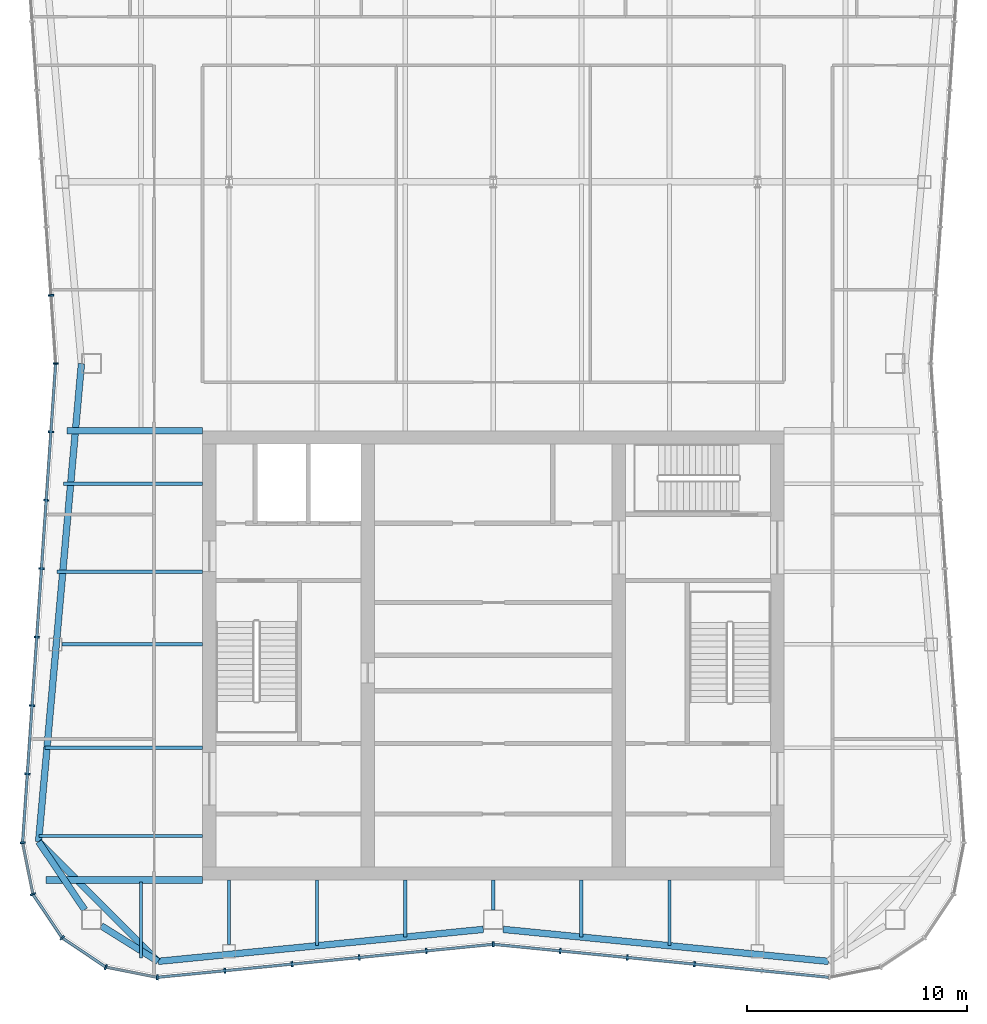
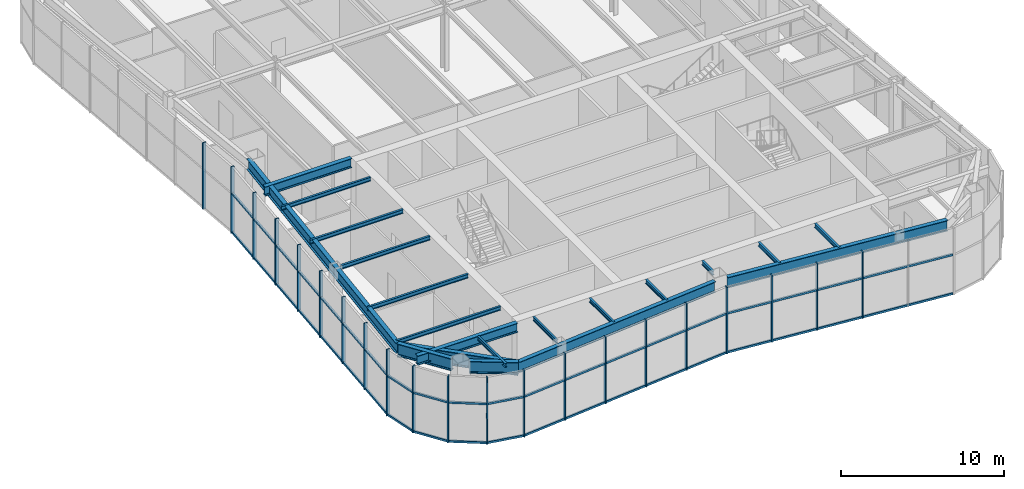
# One storey, part 3 of 13: 35 members, 20 beams, 3 elements without a shape of their own.
"""IFC4 building model written with IfcOpenShell, lengths in metres."""

from ifc_helpers import new_model, si_unit, direction, frame, origin, origin_2d, place, context, subcontext, project, spatial, rectangle, i_section, extrude, material, material_profile, profile_set, type_object, element, aggregate, save


model = new_model("IFC4")

# Units and contexts
model_context = context("Model", 3, precision=1e-05, world=origin(), true_north=direction((0.0, 1.0)))
body_context = subcontext(model_context, "Body", "Model", "MODEL_VIEW")
ifc_project = project(units=[si_unit("LENGTHUNIT", "METRE"), si_unit("AREAUNIT", "SQUARE_METRE"), si_unit("VOLUMEUNIT", "CUBIC_METRE"), si_unit("PLANEANGLEUNIT", "RADIAN"), si_unit("MASSUNIT", "GRAM", prefix="KILO")], contexts=[model_context])

# Site, building, storey
site_placement = place(None, origin())
site = spatial("IfcSite", under=ifc_project, at=site_placement, CompositionType="ELEMENT")
building_placement = place(site_placement, origin())
building = spatial("IfcBuilding", under=site, at=building_placement, Name="Verdant Reach Tower", CompositionType="ELEMENT")
storey_placement = place(building_placement, frame((0.0, 0.0, 354.5)))
storey = spatial("IfcBuildingStorey", under=building, at=storey_placement, Name="L80 Plant", CompositionType="ELEMENT", Elevation=354.5)

# Curtain wall, members
ifc_material_1 = material(Name="Anodised aluminium", Category="aluminium")
curtain_wall_type = type_object("IfcCurtainWallType", Name="EN-CW SYSTEM PLANT", PredefinedType="NOTDEFINED", material=ifc_material_1)
curtain_wall_1_placement = place(storey_placement, origin())
curtain_wall_1 = element("IfcCurtainWall", 1, at=curtain_wall_1_placement, inside=storey, type_object=curtain_wall_type, Name="Curtain wall west, L80", PredefinedType="NOTDEFINED")
ifc_material_profile_1 = material_profile(ifc_material_1, rectangle(XDim=0.238037109375, YDim=0.080078125, at=origin_2d()), Name="Mullion 80x240")
ifc_profile_set_1 = profile_set([ifc_material_profile_1], Name="Anodised aluminium")
member_type_1 = type_object("IfcMemberType", Name="EN-MULLION PLANT", PredefinedType="MULLION", material=ifc_profile_set_1)
member_1_placement = place(storey_placement, frame((-20.0830078125, 44.348876953125, -0.35009765625), z_axis=(0.0, 0.0, 1.0), x_axis=(-0.997630328423, -0.068802091615, 0.0)))
member_1 = element("IfcMember", 2, at=member_1_placement, type_object=member_type_1, Name="Mullion west face part 1 7, L80", PredefinedType="MULLION", context=body_context, shape_type="SweptSolid", body=[
    extrude(rectangle(XDim=0.238037109375, YDim=0.080078125, at=origin_2d()), origin(), (0.0, 0.0, 1.0), 5.0),
])
member_2_placement = place(storey_placement, frame((-19.868896484375, 41.25, -0.35009765625), z_axis=(0.0, 0.0, 1.0), x_axis=(-1.0, 0.0, 0.0)))
member_2 = element("IfcMember", 3, at=member_2_placement, type_object=member_type_1, Name="Mullion west face part 2 1, L80", PredefinedType="MULLION", context=body_context, shape_type="SweptSolid", body=[
    extrude(rectangle(XDim=0.238037109375, YDim=0.080078125, at=origin_2d()), origin(), (0.0, 0.0, 1.0), 5.0),
])
member_3_placement = place(storey_placement, frame((-20.0830078125, 38.151123046875, -0.35009765625), z_axis=(0.0, 0.0, 1.0), x_axis=(-0.997630328423, 0.068802091615, 0.0)))
member_3 = element("IfcMember", 4, at=member_3_placement, type_object=member_type_1, Name="Mullion west face part 2 2, L80", PredefinedType="MULLION", context=body_context, shape_type="SweptSolid", body=[
    extrude(rectangle(XDim=0.238037109375, YDim=0.080078125, at=origin_2d()), origin(), (0.0, 0.0, 1.0), 5.0),
])
member_4_placement = place(storey_placement, frame((-20.29736328125, 35.0439453125, -0.35009765625), z_axis=(0.0, 0.0, 1.0), x_axis=(-0.997630328423, 0.068802091615, 0.0)))
member_4 = element("IfcMember", 5, at=member_4_placement, type_object=member_type_1, Name="Mullion west face part 2 3, L80", PredefinedType="MULLION", context=body_context, shape_type="SweptSolid", body=[
    extrude(rectangle(XDim=0.238037109375, YDim=0.080078125, at=origin_2d()), origin(), (0.0, 0.0, 1.0), 5.0),
])
member_5_placement = place(storey_placement, frame((-20.511474609375, 31.936767578125, -0.35009765625), z_axis=(0.0, 0.0, 1.0), x_axis=(-0.997630328423, 0.068802091615, 0.0)))
member_5 = element("IfcMember", 6, at=member_5_placement, type_object=member_type_1, Name="Mullion west face part 2 4, L80", PredefinedType="MULLION", context=body_context, shape_type="SweptSolid", body=[
    extrude(rectangle(XDim=0.238037109375, YDim=0.080078125, at=origin_2d()), origin(), (0.0, 0.0, 1.0), 5.0),
])
member_6_placement = place(storey_placement, frame((-20.725830078125, 28.82958984375, -0.35009765625), z_axis=(0.0, 0.0, 1.0), x_axis=(-0.997630328423, 0.068802091615, 0.0)))
member_6 = element("IfcMember", 7, at=member_6_placement, type_object=member_type_1, Name="Mullion west face part 2 5, L80", PredefinedType="MULLION", context=body_context, shape_type="SweptSolid", body=[
    extrude(rectangle(XDim=0.238037109375, YDim=0.080078125, at=origin_2d()), origin(), (0.0, 0.0, 1.0), 5.0),
])
member_7_placement = place(storey_placement, frame((-20.940185546875, 25.722412109375, -0.35009765625), z_axis=(0.0, 0.0, 1.0), x_axis=(-0.997630328423, 0.068802091615, 0.0)))
member_7 = element("IfcMember", 8, at=member_7_placement, type_object=member_type_1, Name="Mullion west face part 2 6, L80", PredefinedType="MULLION", context=body_context, shape_type="SweptSolid", body=[
    extrude(rectangle(XDim=0.238037109375, YDim=0.080078125, at=origin_2d()), origin(), (0.0, 0.0, 1.0), 5.0),
])
member_8_placement = place(storey_placement, frame((-21.154541015625, 22.615234375, -0.35009765625), z_axis=(0.0, 0.0, 1.0), x_axis=(-0.997630328423, 0.068802091615, 0.0)))
member_8 = element("IfcMember", 9, at=member_8_placement, type_object=member_type_1, Name="Mullion west face part 2 7, L80", PredefinedType="MULLION", context=body_context, shape_type="SweptSolid", body=[
    extrude(rectangle(XDim=0.238037109375, YDim=0.080078125, at=origin_2d()), origin(), (0.0, 0.0, 1.0), 5.0),
])

curtain_wall_2_placement = place(storey_placement, origin())
curtain_wall_2 = element("IfcCurtainWall", 10, at=curtain_wall_2_placement, inside=storey, type_object=curtain_wall_type, Name="Curtain wall south-west corner, L80", PredefinedType="NOTDEFINED")
member_9_placement = place(storey_placement, frame((-21.36865234375, 19.492431640625, -0.35009765625), z_axis=(0.0, 0.0, 1.0), x_axis=(-0.997969180898, -0.063698618332, 0.0)))
member_9 = element("IfcMember", 11, at=member_9_placement, type_object=member_type_1, Name="Mullion south-west corner 1, L80", PredefinedType="MULLION", context=body_context, shape_type="SweptSolid", body=[
    extrude(rectangle(XDim=0.238037109375, YDim=0.080078125, at=origin_2d()), origin(), (0.0, 0.0, 1.0), 5.0),
])
member_10_placement = place(storey_placement, frame((-20.9033203125, 17.158447265625, -0.35009765625), z_axis=(0.0, 0.0, 1.0), x_axis=(-0.923875215753, -0.382693853776, 0.0)))
member_10 = element("IfcMember", 12, at=member_10_placement, type_object=member_type_1, Name="Mullion south-west corner 2, L80", PredefinedType="MULLION", context=body_context, shape_type="SweptSolid", body=[
    extrude(rectangle(XDim=0.238037109375, YDim=0.080078125, at=origin_2d()), origin(), (0.0, 0.0, 1.0), 5.0),
])
member_11_placement = place(storey_placement, frame((-19.57666015625, 15.17333984375, -0.35009765625), z_axis=(0.0, 0.0, 1.0), x_axis=(-0.707106781187, -0.707106781187, 0.0)))
member_11 = element("IfcMember", 13, at=member_11_placement, type_object=member_type_1, Name="Mullion south-west corner 3, L80", PredefinedType="MULLION", context=body_context, shape_type="SweptSolid", body=[
    extrude(rectangle(XDim=0.238037109375, YDim=0.080078125, at=origin_2d()), origin(), (0.0, 0.0, 1.0), 5.0),
])
member_12_placement = place(storey_placement, frame((-17.591552734375, 13.8466796875, -0.35009765625), z_axis=(0.0, 0.0, 1.0), x_axis=(-0.382693853776, -0.923875215753, 0.0)))
member_12 = element("IfcMember", 14, at=member_12_placement, type_object=member_type_1, Name="Mullion south-west corner 4, L80", PredefinedType="MULLION", context=body_context, shape_type="SweptSolid", body=[
    extrude(rectangle(XDim=0.238037109375, YDim=0.080078125, at=origin_2d()), origin(), (0.0, 0.0, 1.0), 5.0),
])

curtain_wall_3_placement = place(storey_placement, origin())
curtain_wall_3 = element("IfcCurtainWall", 15, at=curtain_wall_3_placement, inside=storey, type_object=curtain_wall_type, Name="Curtain wall south, L80", PredefinedType="NOTDEFINED")
member_13_placement = place(storey_placement, frame((-15.255859375, 13.381103515625, -0.35009765625), z_axis=(0.0, 0.0, 1.0), x_axis=(-0.049127596288, -0.998792510626, 0.0)))
member_13 = element("IfcMember", 16, at=member_13_placement, type_object=member_type_1, Name="Mullion south face part 1 1, L80", PredefinedType="MULLION", context=body_context, shape_type="SweptSolid", body=[
    extrude(rectangle(XDim=0.238037109375, YDim=0.080078125, at=origin_2d()), origin(), (0.0, 0.0, 1.0), 5.0),
])
member_14_placement = place(storey_placement, frame((-12.188232421875, 13.681640625, -0.35009765625), z_axis=(0.0, 0.0, 1.0), x_axis=(0.09788826992, -0.995197410875, 0.0)))
member_14 = element("IfcMember", 17, at=member_14_placement, type_object=member_type_1, Name="Mullion south face part 1 2, L80", PredefinedType="MULLION", context=body_context, shape_type="SweptSolid", body=[
    extrude(rectangle(XDim=0.238037109375, YDim=0.080078125, at=origin_2d()), origin(), (0.0, 0.0, 1.0), 5.0),
])
member_15_placement = place(storey_placement, frame((-9.138427734375, 13.981689453125, -0.35009765625), z_axis=(0.0, 0.0, 1.0), x_axis=(0.09788826992, -0.995197410875, 0.0)))
member_15 = element("IfcMember", 18, at=member_15_placement, type_object=member_type_1, Name="Mullion south face part 1 3, L80", PredefinedType="MULLION", context=body_context, shape_type="SweptSolid", body=[
    extrude(rectangle(XDim=0.238037109375, YDim=0.080078125, at=origin_2d()), origin(), (0.0, 0.0, 1.0), 5.0),
])
member_16_placement = place(storey_placement, frame((-6.08837890625, 14.281494140625, -0.35009765625), z_axis=(0.0, 0.0, 1.0), x_axis=(0.09788826992, -0.995197410875, 0.0)))
member_16 = element("IfcMember", 19, at=member_16_placement, type_object=member_type_1, Name="Mullion south face part 1 4, L80", PredefinedType="MULLION", context=body_context, shape_type="SweptSolid", body=[
    extrude(rectangle(XDim=0.238037109375, YDim=0.080078125, at=origin_2d()), origin(), (0.0, 0.0, 1.0), 5.0),
])
member_17_placement = place(storey_placement, frame((-3.038330078125, 14.58154296875, -0.35009765625), z_axis=(0.0, 0.0, 1.0), x_axis=(0.09788826992, -0.995197410875, 0.0)))
member_17 = element("IfcMember", 20, at=member_17_placement, type_object=member_type_1, Name="Mullion south face part 1 5, L80", PredefinedType="MULLION", context=body_context, shape_type="SweptSolid", body=[
    extrude(rectangle(XDim=0.238037109375, YDim=0.080078125, at=origin_2d()), origin(), (0.0, 0.0, 1.0), 5.0),
])
member_18_placement = place(storey_placement, frame((0.0, 14.881103515625, -0.35009765625), z_axis=(0.0, 0.0, 1.0), x_axis=(0.0, -1.0, 0.0)))
member_18 = element("IfcMember", 21, at=member_18_placement, type_object=member_type_1, Name="Mullion south face part 2 1, L80", PredefinedType="MULLION", context=body_context, shape_type="SweptSolid", body=[
    extrude(rectangle(XDim=0.238037109375, YDim=0.080078125, at=origin_2d()), origin(), (0.0, 0.0, 1.0), 5.0),
])
member_19_placement = place(storey_placement, frame((3.038330078125, 14.58154296875, -0.35009765625), z_axis=(0.0, 0.0, 1.0), x_axis=(-0.09788826992, -0.995197410875, 0.0)))
member_19 = element("IfcMember", 22, at=member_19_placement, type_object=member_type_1, Name="Mullion south face part 2 2, L80", PredefinedType="MULLION", context=body_context, shape_type="SweptSolid", body=[
    extrude(rectangle(XDim=0.238037109375, YDim=0.080078125, at=origin_2d()), origin(), (0.0, 0.0, 1.0), 5.0),
])
member_20_placement = place(storey_placement, frame((6.08837890625, 14.281494140625, -0.35009765625), z_axis=(0.0, 0.0, 1.0), x_axis=(-0.09788826992, -0.995197410875, 0.0)))
member_20 = element("IfcMember", 23, at=member_20_placement, type_object=member_type_1, Name="Mullion south face part 2 3, L80", PredefinedType="MULLION", context=body_context, shape_type="SweptSolid", body=[
    extrude(rectangle(XDim=0.238037109375, YDim=0.080078125, at=origin_2d()), origin(), (0.0, 0.0, 1.0), 5.0),
])
member_21_placement = place(storey_placement, frame((9.138427734375, 13.981689453125, -0.35009765625), z_axis=(0.0, 0.0, 1.0), x_axis=(-0.09788826992, -0.995197410875, 0.0)))
member_21 = element("IfcMember", 24, at=member_21_placement, type_object=member_type_1, Name="Mullion south face part 2 4, L80", PredefinedType="MULLION", context=body_context, shape_type="SweptSolid", body=[
    extrude(rectangle(XDim=0.238037109375, YDim=0.080078125, at=origin_2d()), origin(), (0.0, 0.0, 1.0), 5.0),
])

# Member
ifc_material_profile_2 = material_profile(ifc_material_1, rectangle(XDim=0.1201171875, YDim=0.14990234375, at=origin_2d()), Name="Transom 150x120")
ifc_profile_set_2 = profile_set([ifc_material_profile_2], Name="Anodised aluminium")
member_type_2 = type_object("IfcMemberType", Name="EN-TRANSOM PLANT", PredefinedType="USERDEFINED", material=ifc_profile_set_2)
member_22_placement = place(storey_placement, frame((-19.871826171875, 41.210205078125, -0.27490234375), z_axis=(-0.068761218296, -0.997633146431, 0.0), x_axis=(0.997633146431, -0.068761218296, 0.0)))
member_22 = element("IfcMember", 25, at=member_22_placement, type_object=member_type_2, Name="Transom west face part 2 1.1, L80", ObjectType="TRANSOM", PredefinedType="USERDEFINED", context=body_context, shape_type="SweptSolid", body=[
    extrude(rectangle(XDim=0.1201171875, YDim=0.14990234375, at=origin_2d()), origin(), (0.0, 0.0, 1.0), 21.7294921875),
])

member_23_placement = place(storey_placement, frame((-19.871826171875, 41.210205078125, 2.64990234375), z_axis=(-0.068761218296, -0.997633146431, 0.0), x_axis=(0.997633146431, -0.068761218296, 0.0)))
member_23 = element("IfcMember", 26, at=member_23_placement, type_object=member_type_2, Name="Transom west face part 2 1.2, L80", ObjectType="TRANSOM", PredefinedType="USERDEFINED", context=body_context, shape_type="SweptSolid", body=[
    extrude(rectangle(XDim=0.1201171875, YDim=0.14990234375, at=origin_2d()), origin(), (0.0, 0.0, 1.0), 21.7294921875),
])

aggregate(curtain_wall_1, [member_1, member_2, member_3, member_4, member_5, member_6, member_7, member_8, member_22, member_23])

member_24_placement = place(storey_placement, frame((-21.36083984375, 19.453125, -0.27490234375), z_axis=(0.195524121666, -0.980698892549, 0.0), x_axis=(0.980698892549, 0.195524121666, 0.0)))
member_24 = element("IfcMember", 27, at=member_24_placement, type_object=member_type_2, Name="Transom south-west corner 1.1, L80", ObjectType="TRANSOM", PredefinedType="USERDEFINED", context=body_context, shape_type="SweptSolid", body=[
    extrude(rectangle(XDim=0.1201171875, YDim=0.14990234375, at=origin_2d()), origin(), (0.0, 0.0, 1.0), 2.300048828125),
])

member_25_placement = place(storey_placement, frame((-20.881103515625, 17.125, -0.27490234375), z_axis=(0.5556764556, -0.831398626828, 0.0), x_axis=(0.831398626828, 0.5556764556, 0.0)))
member_25 = element("IfcMember", 28, at=member_25_placement, type_object=member_type_2, Name="Transom south-west corner 2.1, L80", ObjectType="TRANSOM", PredefinedType="USERDEFINED", context=body_context, shape_type="SweptSolid", body=[
    extrude(rectangle(XDim=0.1201171875, YDim=0.14990234375, at=origin_2d()), origin(), (0.0, 0.0, 1.0), 2.3076171875),
])

member_26_placement = place(storey_placement, frame((-19.54345703125, 15.151123046875, -0.27490234375), z_axis=(0.831398626828, -0.5556764556, 0.0), x_axis=(0.5556764556, 0.831398626828, 0.0)))
member_26 = element("IfcMember", 29, at=member_26_placement, type_object=member_type_2, Name="Transom south-west corner 3.1, L80", ObjectType="TRANSOM", PredefinedType="USERDEFINED", context=body_context, shape_type="SweptSolid", body=[
    extrude(rectangle(XDim=0.1201171875, YDim=0.14990234375, at=origin_2d()), origin(), (0.0, 0.0, 1.0), 2.3076171875),
])

member_27_placement = place(storey_placement, frame((-17.552490234375, 13.8388671875, -0.27490234375), z_axis=(0.980706937788, -0.195483764476, 0.0), x_axis=(0.195483764476, 0.980706937788, 0.0)))
member_27 = element("IfcMember", 30, at=member_27_placement, type_object=member_type_2, Name="Transom south-west corner 4.1, L80", ObjectType="TRANSOM", PredefinedType="USERDEFINED", context=body_context, shape_type="SweptSolid", body=[
    extrude(rectangle(XDim=0.1201171875, YDim=0.14990234375, at=origin_2d()), origin(), (0.0, 0.0, 1.0), 2.3017578125),
])

member_28_placement = place(storey_placement, frame((-21.36083984375, 19.453125, 2.64990234375), z_axis=(0.195524121666, -0.980698892549, 0.0), x_axis=(0.980698892549, 0.195524121666, 0.0)))
member_28 = element("IfcMember", 31, at=member_28_placement, type_object=member_type_2, Name="Transom south-west corner 1.2, L80", ObjectType="TRANSOM", PredefinedType="USERDEFINED", context=body_context, shape_type="SweptSolid", body=[
    extrude(rectangle(XDim=0.1201171875, YDim=0.14990234375, at=origin_2d()), origin(), (0.0, 0.0, 1.0), 2.300048828125),
])

member_29_placement = place(storey_placement, frame((-20.881103515625, 17.125, 2.64990234375), z_axis=(0.5556764556, -0.831398626828, 0.0), x_axis=(0.831398626828, 0.5556764556, 0.0)))
member_29 = element("IfcMember", 32, at=member_29_placement, type_object=member_type_2, Name="Transom south-west corner 2.2, L80", ObjectType="TRANSOM", PredefinedType="USERDEFINED", context=body_context, shape_type="SweptSolid", body=[
    extrude(rectangle(XDim=0.1201171875, YDim=0.14990234375, at=origin_2d()), origin(), (0.0, 0.0, 1.0), 2.3076171875),
])

member_30_placement = place(storey_placement, frame((-19.54345703125, 15.151123046875, 2.64990234375), z_axis=(0.831398626828, -0.5556764556, 0.0), x_axis=(0.5556764556, 0.831398626828, 0.0)))
member_30 = element("IfcMember", 33, at=member_30_placement, type_object=member_type_2, Name="Transom south-west corner 3.2, L80", ObjectType="TRANSOM", PredefinedType="USERDEFINED", context=body_context, shape_type="SweptSolid", body=[
    extrude(rectangle(XDim=0.1201171875, YDim=0.14990234375, at=origin_2d()), origin(), (0.0, 0.0, 1.0), 2.3076171875),
])

member_31_placement = place(storey_placement, frame((-17.552490234375, 13.8388671875, 2.64990234375), z_axis=(0.980706937788, -0.195483764476, 0.0), x_axis=(0.195483764476, 0.980706937788, 0.0)))
member_31 = element("IfcMember", 34, at=member_31_placement, type_object=member_type_2, Name="Transom south-west corner 4.2, L80", ObjectType="TRANSOM", PredefinedType="USERDEFINED", context=body_context, shape_type="SweptSolid", body=[
    extrude(rectangle(XDim=0.1201171875, YDim=0.14990234375, at=origin_2d()), origin(), (0.0, 0.0, 1.0), 2.3017578125),
])

aggregate(curtain_wall_2, [member_9, member_10, member_11, member_12, member_24, member_25, member_26, member_27, member_28, member_29, member_30, member_31])

member_32_placement = place(storey_placement, frame((-15.216064453125, 13.385009765625, -0.27490234375), z_axis=(0.995200989722, 0.097851878144, 0.0), x_axis=(-0.097851878144, 0.995200989722, 0.0)))
member_32 = element("IfcMember", 35, at=member_32_placement, type_object=member_type_2, Name="Transom south face part 1 1.1, L80", ObjectType="TRANSOM", PredefinedType="USERDEFINED", context=body_context, shape_type="SweptSolid", body=[
    extrude(rectangle(XDim=0.1201171875, YDim=0.14990234375, at=origin_2d()), origin(), (0.0, 0.0, 1.0), 15.24951171875),
])

member_33_placement = place(storey_placement, frame((-15.216064453125, 13.385009765625, 2.64990234375), z_axis=(0.995200989722, 0.097851878144, 0.0), x_axis=(-0.097851878144, 0.995200989722, 0.0)))
member_33 = element("IfcMember", 36, at=member_33_placement, type_object=member_type_2, Name="Transom south face part 1 1.2, L80", ObjectType="TRANSOM", PredefinedType="USERDEFINED", context=body_context, shape_type="SweptSolid", body=[
    extrude(rectangle(XDim=0.1201171875, YDim=0.14990234375, at=origin_2d()), origin(), (0.0, 0.0, 1.0), 15.24951171875),
])

member_34_placement = place(storey_placement, frame((0.039794921875, 14.877197265625, -0.27490234375), z_axis=(0.995200989722, -0.097851878144, 0.0), x_axis=(0.097851878144, 0.995200989722, 0.0)))
member_34 = element("IfcMember", 37, at=member_34_placement, type_object=member_type_2, Name="Transom south face part 2 1.1, L80", ObjectType="TRANSOM", PredefinedType="USERDEFINED", context=body_context, shape_type="SweptSolid", body=[
    extrude(rectangle(XDim=0.1201171875, YDim=0.14990234375, at=origin_2d()), origin(), (0.0, 0.0, 1.0), 15.24951171875),
])

member_35_placement = place(storey_placement, frame((0.039794921875, 14.877197265625, 2.64990234375), z_axis=(0.995200989722, -0.097851878144, 0.0), x_axis=(0.097851878144, 0.995200989722, 0.0)))
member_35 = element("IfcMember", 38, at=member_35_placement, type_object=member_type_2, Name="Transom south face part 2 1.2, L80", ObjectType="TRANSOM", PredefinedType="USERDEFINED", context=body_context, shape_type="SweptSolid", body=[
    extrude(rectangle(XDim=0.1201171875, YDim=0.14990234375, at=origin_2d()), origin(), (0.0, 0.0, 1.0), 15.24951171875),
])

aggregate(curtain_wall_3, [member_13, member_14, member_15, member_16, member_17, member_32, member_33, member_18, member_19, member_20, member_21, member_34, member_35])

# Beams
ifc_material_2 = material(Name="Steel S355", Category="steel")
ifc_material_profile_3 = material_profile(ifc_material_2, i_section(OverallWidth=0.300048828125, OverallDepth=0.699951171875, WebThickness=0.01708984375, FlangeThickness=0.031982421875, FilletRadius=0.027099609375, at=origin_2d()), Name="HEB 700")
ifc_profile_set_3 = profile_set([ifc_material_profile_3], Name="Steel S355")
beam_type_1 = type_object("IfcBeamType", Name="ST-BEAM-HEB700", PredefinedType="BEAM", material=ifc_profile_set_3)
beam_1_placement = place(storey_placement, frame((-13.199951171875, 38.199951171875, 4.5), z_axis=(-1.0, 0.0, 0.0), x_axis=(0.0, -1.0, 0.0)))
element("IfcBeam", 39, at=beam_1_placement, inside=storey, type_object=beam_type_1, Name="Trimmer beam, L80 Plant", PredefinedType="BEAM", context=body_context, shape_type="SweptSolid", body=[
    extrude(i_section(OverallWidth=0.300048828125, OverallDepth=0.699951171875, WebThickness=0.01708984375, FlangeThickness=0.031982421875, FilletRadius=0.027099609375, at=origin_2d()), origin(), (0.0, 0.0, 1.0), 6.158935546875),
])
beam_2_placement = place(storey_placement, frame((-13.199951171875, 17.800048828125, 4.5), z_axis=(-1.0, 0.0, 0.0), x_axis=(0.0, -1.0, 0.0)))
element("IfcBeam", 40, at=beam_2_placement, inside=storey, type_object=beam_type_1, Name="Trimmer beam, L80 Plant", PredefinedType="BEAM", context=body_context, shape_type="SweptSolid", body=[
    extrude(i_section(OverallWidth=0.300048828125, OverallDepth=0.699951171875, WebThickness=0.01708984375, FlangeThickness=0.031982421875, FilletRadius=0.027099609375, at=origin_2d()), origin(), (0.0, 0.0, 1.0), 7.10009765625),
])
ifc_material_profile_4 = material_profile(ifc_material_2, i_section(OverallWidth=0.302001953125, OverallDepth=0.909912109375, WebThickness=0.02099609375, FlangeThickness=0.0400390625, FilletRadius=0.030029296875, at=origin_2d()), Name="HEM 900")
ifc_profile_set_4 = profile_set([ifc_material_profile_4], Name="Steel S355")
beam_type_2 = type_object("IfcBeamType", Name="ST-BEAM-HEM900", PredefinedType="BEAM", material=ifc_profile_set_4)
beam_3_placement = place(storey_placement, frame((-17.800048828125, 15.71875, 4.39501953125), z_axis=(0.847903624467, -0.530150397166, 0.0), x_axis=(0.530150397166, 0.847903624467, 0.0)))
element("IfcBeam", 41, at=beam_3_placement, inside=storey, type_object=beam_type_2, Name="Column stub beam, L80 Plant", PredefinedType="BEAM", context=body_context, shape_type="SweptSolid", body=[
    extrude(i_section(OverallWidth=0.302001953125, OverallDepth=0.909912109375, WebThickness=0.02099609375, FlangeThickness=0.0400390625, FilletRadius=0.030029296875, at=origin_2d()), origin(), (0.0, 0.0, 1.0), 3.042724609375),
])
beam_4_placement = place(storey_placement, frame((-18.5546875, 16.449951171875, 4.39501953125), z_axis=(-0.560667226688, 0.828041219335, 0.0), x_axis=(-0.828041219335, -0.560667226688, 0.0)))
element("IfcBeam", 42, at=beam_4_placement, inside=storey, type_object=beam_type_2, Name="Column stub beam, L80 Plant", PredefinedType="BEAM", context=body_context, shape_type="SweptSolid", body=[
    extrude(i_section(OverallWidth=0.302001953125, OverallDepth=0.909912109375, WebThickness=0.02099609375, FlangeThickness=0.0400390625, FilletRadius=0.030029296875, at=origin_2d()), origin(), (0.0, 0.0, 1.0), 3.72998046875),
])
ifc_material_profile_5 = material_profile(ifc_material_2, i_section(OverallWidth=0.14990234375, OverallDepth=0.300048828125, WebThickness=0.007080078125, FlangeThickness=0.0107421875, FilletRadius=0.014892578125, at=origin_2d()), Name="IPE 300")
ifc_profile_set_5 = profile_set([ifc_material_profile_5], Name="Steel S355")
beam_type_3 = type_object("IfcBeamType", Name="ST-JOIST-IPE300", PredefinedType="JOIST", material=ifc_profile_set_5)
beam_5_placement = place(storey_placement, frame((-16.0, 17.699951171875, 4.699951171875), z_axis=(0.0, -1.0, 0.0), x_axis=(1.0, 0.0, 0.0)))
element("IfcBeam", 43, at=beam_5_placement, inside=storey, type_object=beam_type_3, Name="Floor joist, L80 Plant", PredefinedType="JOIST", context=body_context, shape_type="SweptSolid", body=[
    extrude(i_section(OverallWidth=0.14990234375, OverallDepth=0.300048828125, WebThickness=0.007080078125, FlangeThickness=0.0107421875, FilletRadius=0.014892578125, at=origin_2d()), origin(), (0.0, 0.0, 1.0), 3.43896484375),
])
beam_6_placement = place(storey_placement, frame((-12.0, 17.800048828125, 4.699951171875), z_axis=(0.0, -1.0, 0.0), x_axis=(1.0, 0.0, 0.0)))
element("IfcBeam", 44, at=beam_6_placement, inside=storey, type_object=beam_type_3, Name="Floor joist, L80 Plant", PredefinedType="JOIST", context=body_context, shape_type="SweptSolid", body=[
    extrude(i_section(OverallWidth=0.14990234375, OverallDepth=0.300048828125, WebThickness=0.007080078125, FlangeThickness=0.0107421875, FilletRadius=0.014892578125, at=origin_2d()), origin(), (0.0, 0.0, 1.0), 2.930419921875),
])
beam_7_placement = place(storey_placement, frame((-8.0, 17.800048828125, 4.699951171875), z_axis=(0.0, -1.0, 0.0), x_axis=(1.0, 0.0, 0.0)))
element("IfcBeam", 45, at=beam_7_placement, inside=storey, type_object=beam_type_3, Name="Floor joist, L80 Plant", PredefinedType="JOIST", context=body_context, shape_type="SweptSolid", body=[
    extrude(i_section(OverallWidth=0.14990234375, OverallDepth=0.300048828125, WebThickness=0.007080078125, FlangeThickness=0.0107421875, FilletRadius=0.014892578125, at=origin_2d()), origin(), (0.0, 0.0, 1.0), 2.984130859375),
])
beam_8_placement = place(storey_placement, frame((-4.0, 17.800048828125, 4.699951171875), z_axis=(0.0, -1.0, 0.0), x_axis=(1.0, 0.0, 0.0)))
element("IfcBeam", 46, at=beam_8_placement, inside=storey, type_object=beam_type_3, Name="Floor joist, L80 Plant", PredefinedType="JOIST", context=body_context, shape_type="SweptSolid", body=[
    extrude(i_section(OverallWidth=0.14990234375, OverallDepth=0.300048828125, WebThickness=0.007080078125, FlangeThickness=0.0107421875, FilletRadius=0.014892578125, at=origin_2d()), origin(), (0.0, 0.0, 1.0), 2.590576171875),
])
beam_9_placement = place(storey_placement, frame((0.0, 17.800048828125, 4.699951171875), z_axis=(0.0, -1.0, 0.0), x_axis=(1.0, 0.0, 0.0)))
element("IfcBeam", 47, at=beam_9_placement, inside=storey, type_object=beam_type_3, Name="Floor joist, L80 Plant", PredefinedType="JOIST", context=body_context, shape_type="SweptSolid", body=[
    extrude(i_section(OverallWidth=0.14990234375, OverallDepth=0.300048828125, WebThickness=0.007080078125, FlangeThickness=0.0107421875, FilletRadius=0.014892578125, at=origin_2d()), origin(), (0.0, 0.0, 1.0), 1.35009765625),
])
beam_10_placement = place(storey_placement, frame((4.0, 17.800048828125, 4.699951171875), z_axis=(0.0, -1.0, 0.0), x_axis=(1.0, 0.0, 0.0)))
element("IfcBeam", 48, at=beam_10_placement, inside=storey, type_object=beam_type_3, Name="Floor joist, L80 Plant", PredefinedType="JOIST", context=body_context, shape_type="SweptSolid", body=[
    extrude(i_section(OverallWidth=0.14990234375, OverallDepth=0.300048828125, WebThickness=0.007080078125, FlangeThickness=0.0107421875, FilletRadius=0.014892578125, at=origin_2d()), origin(), (0.0, 0.0, 1.0), 2.590576171875),
])
beam_11_placement = place(storey_placement, frame((8.0, 17.800048828125, 4.699951171875), z_axis=(0.0, -1.0, 0.0), x_axis=(1.0, 0.0, 0.0)))
element("IfcBeam", 49, at=beam_11_placement, inside=storey, type_object=beam_type_3, Name="Floor joist, L80 Plant", PredefinedType="JOIST", context=body_context, shape_type="SweptSolid", body=[
    extrude(i_section(OverallWidth=0.14990234375, OverallDepth=0.300048828125, WebThickness=0.007080078125, FlangeThickness=0.0107421875, FilletRadius=0.014892578125, at=origin_2d()), origin(), (0.0, 0.0, 1.0), 2.984130859375),
])
beam_12_placement = place(storey_placement, frame((-13.199951171875, 19.800048828125, 4.699951171875), z_axis=(-1.0, 0.0, 0.0), x_axis=(0.0, -1.0, 0.0)))
element("IfcBeam", 50, at=beam_12_placement, inside=storey, type_object=beam_type_3, Name="Floor joist, L80 Plant", PredefinedType="JOIST", context=body_context, shape_type="SweptSolid", body=[
    extrude(i_section(OverallWidth=0.14990234375, OverallDepth=0.300048828125, WebThickness=0.007080078125, FlangeThickness=0.0107421875, FilletRadius=0.014892578125, at=origin_2d()), origin(), (0.0, 0.0, 1.0), 7.427978515625),
])
beam_13_placement = place(storey_placement, frame((-13.199951171875, 23.800048828125, 4.699951171875), z_axis=(-1.0, 0.0, 0.0), x_axis=(0.0, -1.0, 0.0)))
element("IfcBeam", 51, at=beam_13_placement, inside=storey, type_object=beam_type_3, Name="Floor joist, L80 Plant", PredefinedType="JOIST", context=body_context, shape_type="SweptSolid", body=[
    extrude(i_section(OverallWidth=0.14990234375, OverallDepth=0.300048828125, WebThickness=0.007080078125, FlangeThickness=0.0107421875, FilletRadius=0.014892578125, at=origin_2d()), origin(), (0.0, 0.0, 1.0), 7.152099609375),
])
beam_14_placement = place(storey_placement, frame((-13.199951171875, 28.5, 4.699951171875), z_axis=(-1.0, 0.0, 0.0), x_axis=(0.0, -1.0, 0.0)))
element("IfcBeam", 52, at=beam_14_placement, inside=storey, type_object=beam_type_3, Name="Floor joist, L80 Plant", PredefinedType="JOIST", context=body_context, shape_type="SweptSolid", body=[
    extrude(i_section(OverallWidth=0.14990234375, OverallDepth=0.300048828125, WebThickness=0.007080078125, FlangeThickness=0.0107421875, FilletRadius=0.014892578125, at=origin_2d()), origin(), (0.0, 0.0, 1.0), 6.37939453125),
])
beam_15_placement = place(storey_placement, frame((-13.199951171875, 31.800048828125, 4.699951171875), z_axis=(-1.0, 0.0, 0.0), x_axis=(0.0, -1.0, 0.0)))
element("IfcBeam", 53, at=beam_15_placement, inside=storey, type_object=beam_type_3, Name="Floor joist, L80 Plant", PredefinedType="JOIST", context=body_context, shape_type="SweptSolid", body=[
    extrude(i_section(OverallWidth=0.14990234375, OverallDepth=0.300048828125, WebThickness=0.007080078125, FlangeThickness=0.0107421875, FilletRadius=0.014892578125, at=origin_2d()), origin(), (0.0, 0.0, 1.0), 6.600341796875),
])
beam_16_placement = place(storey_placement, frame((-13.199951171875, 35.800048828125, 4.699951171875), z_axis=(-1.0, 0.0, 0.0), x_axis=(0.0, -1.0, 0.0)))
element("IfcBeam", 54, at=beam_16_placement, inside=storey, type_object=beam_type_3, Name="Floor joist, L80 Plant", PredefinedType="JOIST", context=body_context, shape_type="SweptSolid", body=[
    extrude(i_section(OverallWidth=0.14990234375, OverallDepth=0.300048828125, WebThickness=0.007080078125, FlangeThickness=0.0107421875, FilletRadius=0.014892578125, at=origin_2d()), origin(), (0.0, 0.0, 1.0), 6.324462890625),
])
ifc_material_profile_6 = material_profile(ifc_material_2, i_section(OverallWidth=0.300048828125, OverallDepth=0.800048828125, WebThickness=0.017578125, FlangeThickness=0.032958984375, FilletRadius=0.030029296875, at=origin_2d()), Name="HEB 800")
ifc_profile_set_6 = profile_set([ifc_material_profile_6], Name="Steel S355")
beam_type_4 = type_object("IfcBeamType", Name="ST-SPANDREL-HEB800", PredefinedType="SPANDREL", material=ifc_profile_set_6)
for number, where, z_axis, x_axis, name in (
    (55, (15.22021484375, 14.105712890625, 4.449951171875), (-0.995196964263, 0.097892810366, 0.0), (-0.097892810366, -0.995196964263, 0.0), "Edge beam, L80 Plant"),
    (56, (-0.449951171875, 15.55859375, 4.449951171875), (-0.995196964263, -0.097892810366, 0.0), (0.097892810366, -0.995196964263, 0.0), "Edge beam, L80 Plant"),
):
    element("IfcBeam", number, at=place(storey_placement, frame(where, z_axis=z_axis, x_axis=x_axis)), inside=storey, type_object=beam_type_4, Name=name, PredefinedType="SPANDREL", context=body_context, shape_type="SweptSolid", body=[
        extrude(i_section(OverallWidth=0.300048828125, OverallDepth=0.800048828125, WebThickness=0.017578125, FlangeThickness=0.032958984375, FilletRadius=0.030029296875, at=origin_2d()), origin(), (0.0, 0.0, 1.0), 14.841552734375),
    ])
beam_17_placement = place(storey_placement, frame((-20.64599609375, 19.53857421875, 4.449951171875), z_axis=(0.089274399498, 0.996007069048, 0.0), x_axis=(-0.996007069048, 0.089274399498, 0.0)))
element("IfcBeam", 57, at=beam_17_placement, inside=storey, type_object=beam_type_4, Name="Edge beam, L80 Plant", PredefinedType="SPANDREL", context=body_context, shape_type="SweptSolid", body=[
    extrude(i_section(OverallWidth=0.300048828125, OverallDepth=0.800048828125, WebThickness=0.017578125, FlangeThickness=0.032958984375, FilletRadius=0.030029296875, at=origin_2d()), origin(), (0.0, 0.0, 1.0), 21.798583984375),
])
ifc_material_profile_7 = material_profile(ifc_material_2, i_section(OverallWidth=0.302001953125, OverallDepth=1.008056640625, WebThickness=0.02099609375, FlangeThickness=0.0400390625, FilletRadius=0.030029296875, at=origin_2d()), Name="HEM 1000")
ifc_profile_set_7 = profile_set([ifc_material_profile_7], Name="Steel S355")
beam_type_5 = type_object("IfcBeamType", Name="ST-SPANDREL-HEM1000", PredefinedType="SPANDREL", material=ifc_profile_set_7)
beam_18_placement = place(storey_placement, frame((-15.22021484375, 14.105712890625, 4.345947265625), z_axis=(-0.706645581521, 0.707567680237, 0.0), x_axis=(-0.707567680237, -0.706645581521, 0.0)))
element("IfcBeam", 58, at=beam_18_placement, inside=storey, type_object=beam_type_5, Name="Edge beam, L80 Plant", PredefinedType="SPANDREL", context=body_context, shape_type="SweptSolid", body=[
    extrude(i_section(OverallWidth=0.302001953125, OverallDepth=1.008056640625, WebThickness=0.02099609375, FlangeThickness=0.0400390625, FilletRadius=0.030029296875, at=origin_2d()), origin(), (0.0, 0.0, 1.0), 7.67822265625),
])

save(model, "model.ifc")
